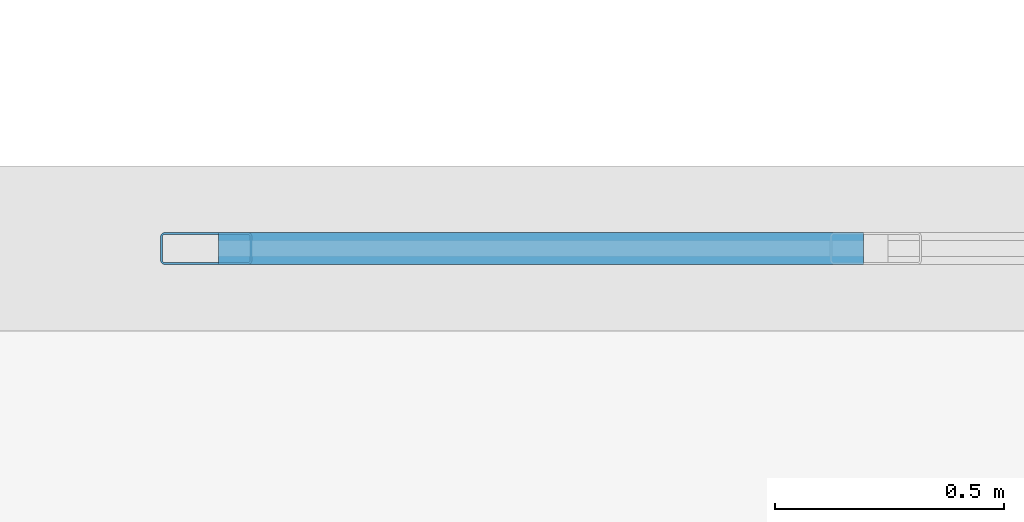
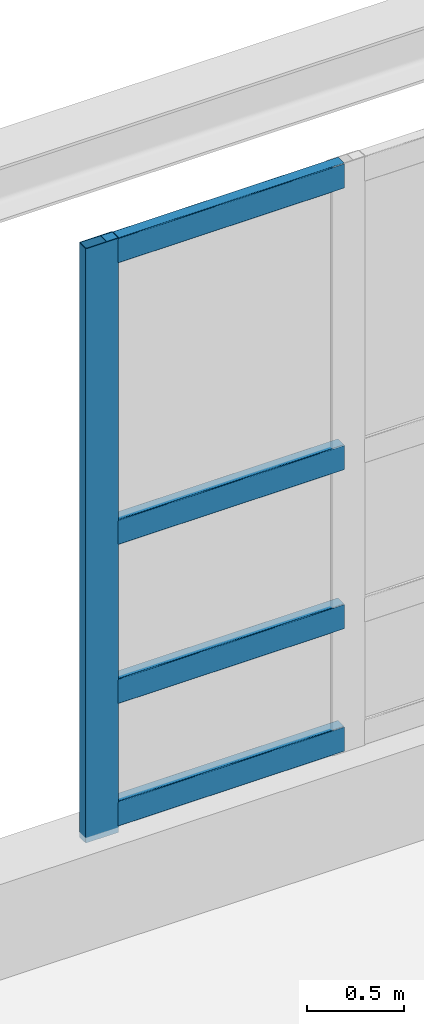
# One storey, part 88 of 197: 5 members, 1 element without a shape of its own.
"""IFC4 building model written with IfcOpenShell, lengths in metres."""

from ifc_helpers import new_model, si_unit, derived_unit, direction, frame, origin, origin_2d, place, context, subcontext, project, spatial, hollow_rectangle, extrude, material, layer, layer_set, material_profile, profile_set, type_object, element, aggregate, save


model = new_model("IFC4")

# Units and contexts
model_context = context("Model", 3, precision=1e-05, world=origin(), true_north=direction((0.0, 1.0)))
body_context = subcontext(model_context, "Body", "Model", "MODEL_VIEW")
ifc_project = project(units=[si_unit("LENGTHUNIT", "METRE"), si_unit("AREAUNIT", "SQUARE_METRE"), si_unit("VOLUMEUNIT", "CUBIC_METRE"), si_unit("PLANEANGLEUNIT", "RADIAN"), si_unit("MASSUNIT", "GRAM", prefix="KILO"), derived_unit("THERMALTRANSMITTANCEUNIT", [(si_unit("POWERUNIT", "WATT"), 1), (si_unit("LENGTHUNIT", "METRE"), -2), (si_unit("THERMODYNAMICTEMPERATUREUNIT", "KELVIN"), -1)])], contexts=[model_context])

# Site, building, storey
site_placement = place(None, origin())
site = spatial("IfcSite", under=ifc_project, at=site_placement, CompositionType="ELEMENT")
building_placement = place(site_placement, origin())
building = spatial("IfcBuilding", under=site, at=building_placement, Name="Almenara Railside Exhibition Hall", CompositionType="ELEMENT")
storey_placement = place(building_placement, frame((0.0, 0.0, 5.39990234375)))
storey = spatial("IfcBuildingStorey", under=building, at=storey_placement, Name="L01", CompositionType="ELEMENT", Elevation=5.39990234375)

# Curtain wall, members
ifc_material_1 = material(Name="Bronze-anodised aluminium and low-E double glazing", Category="aluminium")
ifc_layer = layer(ifc_material_1, 0.179931640625, Name="Bronze-anodised aluminium and low-E double glazing")
ifc_layer_set = layer_set([ifc_layer], Name="Bronze-anodised aluminium and low-E double glazing")
curtain_wall_type = type_object("IfcCurtainWallType", Name="Courtyard North Galeria Curtain Wall 3000x3700", PredefinedType="NOTDEFINED", material=ifc_layer_set)
curtain_wall_placement = place(storey_placement, origin())
curtain_wall = element("IfcCurtainWall", 1, at=curtain_wall_placement, inside=storey, type_object=curtain_wall_type, Name="Curtain wall CW-CY1-139", PredefinedType="NOTDEFINED")
ifc_material_2 = material(Name="Bronze-anodised aluminium", Category="aluminium")
ifc_material_profile_1 = material_profile(ifc_material_2, hollow_rectangle(XDim=0.070068359375, YDim=0.199951171875, WallThickness=0.00439453125, InnerFilletRadius=0.00439453125, OuterFilletRadius=0.009033203125, at=origin_2d()), Name="ALU-MUL 70x200x4.5")
ifc_profile_set_1 = profile_set([ifc_material_profile_1], Name="Bronze-anodised aluminium")
member_type_1 = type_object("IfcMemberType", Name="Curtain Wall Mullion 70x200x4.5", PredefinedType="MULLION", material=ifc_profile_set_1)
member_1_placement = place(storey_placement, frame((109.3349609375, 108.0, 0.565185546875), z_axis=(0.0, 0.0, 1.0), x_axis=(0.0, 1.0, 0.0)))
member_1 = element("IfcMember", 2, at=member_1_placement, type_object=member_type_1, Name="CW-CY1-139 mullion 1", PredefinedType="MULLION", context=body_context, shape_type="SweptSolid", body=[
    extrude(hollow_rectangle(XDim=0.070068359375, YDim=0.199951171875, WallThickness=0.00439453125, InnerFilletRadius=0.00439453125, OuterFilletRadius=0.009033203125, at=origin_2d()), origin(), (0.0, 0.0, 1.0), 3.73486328125),
])
ifc_material_profile_2 = material_profile(ifc_material_2, hollow_rectangle(XDim=0.070068359375, YDim=0.159912109375, WallThickness=0.00390625, InnerFilletRadius=0.00390625, OuterFilletRadius=0.008056640625, at=origin_2d()), Name="ALU-TRN 70x160x4")
ifc_profile_set_2 = profile_set([ifc_material_profile_2], Name="Bronze-anodised aluminium")
member_type_2 = type_object("IfcMemberType", Name="Curtain Wall Transom 70x160x4", PredefinedType="USERDEFINED", material=ifc_profile_set_2)
member_2_placement = place(storey_placement, frame((109.362060546875, 108.0, 0.68017578125), z_axis=(1.0, 0.0, 0.0), x_axis=(0.0, 1.0, 0.0)))
member_2 = element("IfcMember", 3, at=member_2_placement, type_object=member_type_2, Name="CW-CY1-139 transom 1.1", ObjectType="TRANSOM", PredefinedType="USERDEFINED", context=body_context, shape_type="SweptSolid", body=[
    extrude(hollow_rectangle(XDim=0.070068359375, YDim=0.159912109375, WallThickness=0.00390625, InnerFilletRadius=0.00390625, OuterFilletRadius=0.008056640625, at=origin_2d()), origin(), (0.0, 0.0, 1.0), 1.410888671875),
])
member_3_placement = place(storey_placement, frame((109.362060546875, 108.0, 1.4501953125), z_axis=(1.0, 0.0, 0.0), x_axis=(0.0, 1.0, 0.0)))
member_3 = element("IfcMember", 4, at=member_3_placement, type_object=member_type_2, Name="CW-CY1-139 transom 1.2", ObjectType="TRANSOM", PredefinedType="USERDEFINED", context=body_context, shape_type="SweptSolid", body=[
    extrude(hollow_rectangle(XDim=0.070068359375, YDim=0.159912109375, WallThickness=0.00390625, InnerFilletRadius=0.00390625, OuterFilletRadius=0.008056640625, at=origin_2d()), origin(), (0.0, 0.0, 1.0), 1.410888671875),
])
member_4_placement = place(storey_placement, frame((109.362060546875, 108.0, 2.4501953125), z_axis=(1.0, 0.0, 0.0), x_axis=(0.0, 1.0, 0.0)))
member_4 = element("IfcMember", 5, at=member_4_placement, type_object=member_type_2, Name="CW-CY1-139 transom 1.3", ObjectType="TRANSOM", PredefinedType="USERDEFINED", context=body_context, shape_type="SweptSolid", body=[
    extrude(hollow_rectangle(XDim=0.070068359375, YDim=0.159912109375, WallThickness=0.00390625, InnerFilletRadius=0.00390625, OuterFilletRadius=0.008056640625, at=origin_2d()), origin(), (0.0, 0.0, 1.0), 1.410888671875),
])
member_5_placement = place(storey_placement, frame((109.362060546875, 108.0, 4.22021484375), z_axis=(1.0, 0.0, 0.0), x_axis=(0.0, 1.0, 0.0)))
member_5 = element("IfcMember", 6, at=member_5_placement, type_object=member_type_2, Name="CW-CY1-139 transom 1.4", ObjectType="TRANSOM", PredefinedType="USERDEFINED", context=body_context, shape_type="SweptSolid", body=[
    extrude(hollow_rectangle(XDim=0.070068359375, YDim=0.159912109375, WallThickness=0.00390625, InnerFilletRadius=0.00390625, OuterFilletRadius=0.008056640625, at=origin_2d()), origin(), (0.0, 0.0, 1.0), 1.410888671875),
])
aggregate(curtain_wall, [member_1, member_2, member_3, member_4, member_5])

save(model, "model.ifc")
